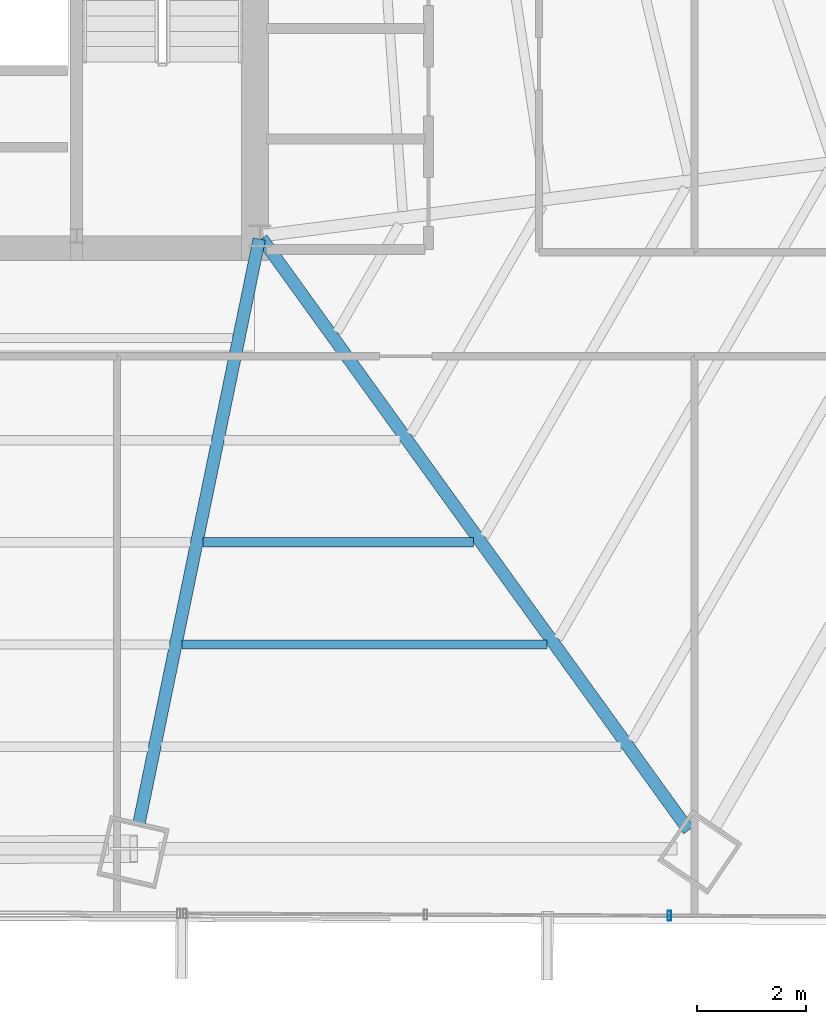
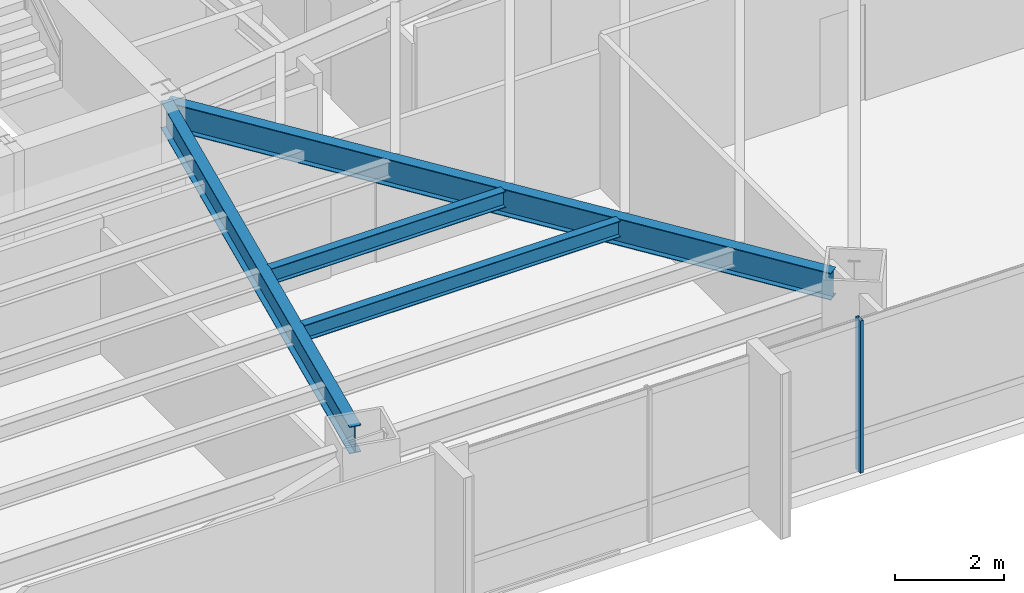
# One storey, part 17 of 35: 4 beams, 1 member, 1 element without a shape of its own.
"""IFC4 building model written with IfcOpenShell, lengths in metres."""

from ifc_helpers import new_model, si_unit, direction, frame, origin, origin_2d, place, context, subcontext, project, spatial, hollow_rectangle, i_section, extrude, source, transform, mapped, material, material_profile, profile_set, type_object, type_shapes, element, aggregate, save


model = new_model("IFC4")

# Units and contexts
model_context = context("Model", 3, precision=1e-05, world=origin(), true_north=direction((0.0, 1.0)))
body_context = subcontext(model_context, "Body", "Model", "MODEL_VIEW")
ifc_project = project(units=[si_unit("LENGTHUNIT", "METRE"), si_unit("AREAUNIT", "SQUARE_METRE"), si_unit("VOLUMEUNIT", "CUBIC_METRE"), si_unit("PLANEANGLEUNIT", "RADIAN"), si_unit("MASSUNIT", "GRAM", prefix="KILO")], contexts=[model_context])

# Site, building, storey
site_placement = place(None, origin())
site = spatial("IfcSite", under=ifc_project, at=site_placement, CompositionType="ELEMENT")
building_placement = place(site_placement, origin())
building = spatial("IfcBuilding", under=site, at=building_placement, Name="Caelisora Broadcast Tower", CompositionType="ELEMENT")
storey_placement = place(building_placement, frame((0.0, 0.0, 94.449951171875)))
storey = spatial("IfcBuildingStorey", under=building, at=storey_placement, Name="L24", CompositionType="ELEMENT", Elevation=94.449951171875)

# Beams
ifc_material_1 = material(Name="Steel Grade 350 (AS/NZS 3679.1)", Category="steel")
ifc_material_profile_1 = material_profile(ifc_material_1, i_section(OverallWidth=0.22802734375, OverallDepth=0.602294921875, WebThickness=0.010498046875, FlangeThickness=0.014892578125, at=origin_2d()), Name="Steel Grade 350 (AS/NZS 3679.1)")
ifc_profile_set_1 = profile_set([ifc_material_profile_1], Name="Steel Grade 350 (AS/NZS 3679.1)")
beam_type_1 = type_object("IfcBeamType", Name="PG04", PredefinedType="BEAM", material=ifc_profile_set_1)
shared_shape_1 = source(origin(), body_context, "Body", "SweptSolid", [
    extrude(i_section(OverallWidth=0.22802734375, OverallDepth=0.602294921875, WebThickness=0.010498046875, FlangeThickness=0.014892578125, at=origin_2d()), origin(), (0.0, 0.0, 1.0), 13.334228515625),
])
beam_1_placement = place(storey_placement, frame((45.53515625, 17.351318359375, 3.098876953125), z_axis=(0.585035218745, -0.811007887032, 0.0), x_axis=(0.811007887032, 0.585035218745, 0.0)))
element("IfcBeam", 1, at=beam_1_placement, inside=storey, type_object=beam_type_1, Name="L24 beam PG04", PredefinedType="BEAM", context=body_context, shape_type="MappedRepresentation", body=[
    mapped(shared_shape_1, transform((0.0, 0.0, 0.0), scale=1.0)),
])
shared_shape_2 = source(origin(), body_context, "Body", "SweptSolid", [
    extrude(i_section(OverallWidth=0.22802734375, OverallDepth=0.602294921875, WebThickness=0.010498046875, FlangeThickness=0.014892578125, at=origin_2d()), origin(), (0.0, 0.0, 1.0), 10.958251953125),
])
type_shapes(beam_type_1, [shared_shape_1, shared_shape_2])
beam_2_placement = place(storey_placement, frame((45.48779296875, 17.34130859375, 3.098876953125), z_axis=(-0.201580000439, -0.979472053416, 0.0), x_axis=(0.979472053416, -0.201580000439, 0.0)))
element("IfcBeam", 2, at=beam_2_placement, inside=storey, type_object=beam_type_1, Name="L24 beam PG04", PredefinedType="BEAM", context=body_context, shape_type="MappedRepresentation", body=[
    mapped(shared_shape_2, transform((0.0, 0.0, 0.0), scale=1.0)),
])
ifc_material_profile_2 = material_profile(ifc_material_1, i_section(OverallWidth=0.172119140625, OverallDepth=0.358642578125, WebThickness=0.008056640625, FlangeThickness=0.012939453125, at=origin_2d()), Name="Steel Grade 350 (AS/NZS 3679.1)")
ifc_profile_set_2 = profile_set([ifc_material_profile_2], Name="Steel Grade 350 (AS/NZS 3679.1)")
beam_type_2 = type_object("IfcBeamType", Name="SB02", PredefinedType="JOIST", material=ifc_profile_set_2)
shared_shape_3 = source(origin(), body_context, "Body", "SweptSolid", [
    extrude(i_section(OverallWidth=0.172119140625, OverallDepth=0.358642578125, WebThickness=0.008056640625, FlangeThickness=0.012939453125, at=origin_2d()), origin(), (0.0, 0.0, 1.0), 4.94287109375),
])
beam_3_placement = place(storey_placement, frame((44.46044921875, 11.798095703125, 3.220703125), z_axis=(1.0, 0.0, 0.0), x_axis=(0.0, 1.0, 0.0)))
element("IfcBeam", 3, at=beam_3_placement, inside=storey, type_object=beam_type_2, Name="L24 beam SB02", PredefinedType="JOIST", context=body_context, shape_type="MappedRepresentation", body=[
    mapped(shared_shape_3, transform((0.0, 0.0, 0.0), scale=1.0)),
])
shared_shape_4 = source(origin(), body_context, "Body", "SweptSolid", [
    extrude(i_section(OverallWidth=0.172119140625, OverallDepth=0.358642578125, WebThickness=0.008056640625, FlangeThickness=0.012939453125, at=origin_2d()), origin(), (0.0, 0.0, 1.0), 6.674072265625),
])
type_shapes(beam_type_2, [shared_shape_3, shared_shape_4])
beam_4_placement = place(storey_placement, frame((44.076171875, 9.930908203125, 3.220703125), z_axis=(1.0, 0.0, 0.0), x_axis=(0.0, 1.0, 0.0)))
element("IfcBeam", 4, at=beam_4_placement, inside=storey, type_object=beam_type_2, Name="L24 beam SB02", PredefinedType="JOIST", context=body_context, shape_type="MappedRepresentation", body=[
    mapped(shared_shape_4, transform((0.0, 0.0, 0.0), scale=1.0)),
])

# Curtain wall, member
ifc_material_2 = material(Name="Unitised Aluminium and Low-E Glass Curtain Wall", Category="glass")
curtain_wall_type = type_object("IfcCurtainWallType", Name="CW-Z2", PredefinedType="NOTDEFINED", material=ifc_material_2)
curtain_wall_placement = place(storey_placement, origin())
curtain_wall = element("IfcCurtainWall", 5, at=curtain_wall_placement, inside=storey, type_object=curtain_wall_type, Name="L24 curtain wall CW-Z2", PredefinedType="NOTDEFINED")
ifc_material_3 = material(Name="Aluminium 6063-T6 Anodised Terracotta Bronze", Category="aluminium")
ifc_material_profile_3 = material_profile(ifc_material_3, hollow_rectangle(XDim=0.06494140625, YDim=0.179931640625, WallThickness=0.00341796875, at=origin_2d()), Name="Aluminium 6063-T6 Anodised Terracotta Bronze")
ifc_profile_set_3 = profile_set([ifc_material_profile_3], Name="Aluminium 6063-T6 Anodised Terracotta Bronze")
member_type = type_object("IfcMemberType", Name="CWM-02", PredefinedType="MULLION", material=ifc_profile_set_3)
shared_shape_5 = source(origin(), body_context, "Body", "SweptSolid", [
    extrude(hollow_rectangle(XDim=0.06494140625, YDim=0.179931640625, WallThickness=0.00341796875, at=origin_2d()), origin(), (0.0, 0.0, 1.0), 3.400146484375),
])
type_shapes(member_type, [shared_shape_5])
member_placement = place(storey_placement, frame((52.983154296875, 4.974365234375, 0.0), z_axis=(0.0, 0.0, 1.0), x_axis=(1.0, 0.0, 0.0)))
member = element("IfcMember", 6, at=member_placement, type_object=member_type, Name="L24-CW-B05 mullion #1", PredefinedType="MULLION", context=body_context, shape_type="MappedRepresentation", body=[
    mapped(shared_shape_5, transform((0.0, 0.0, 0.0), scale=1.0)),
])
aggregate(curtain_wall, [member])

save(model, "model.ifc")
